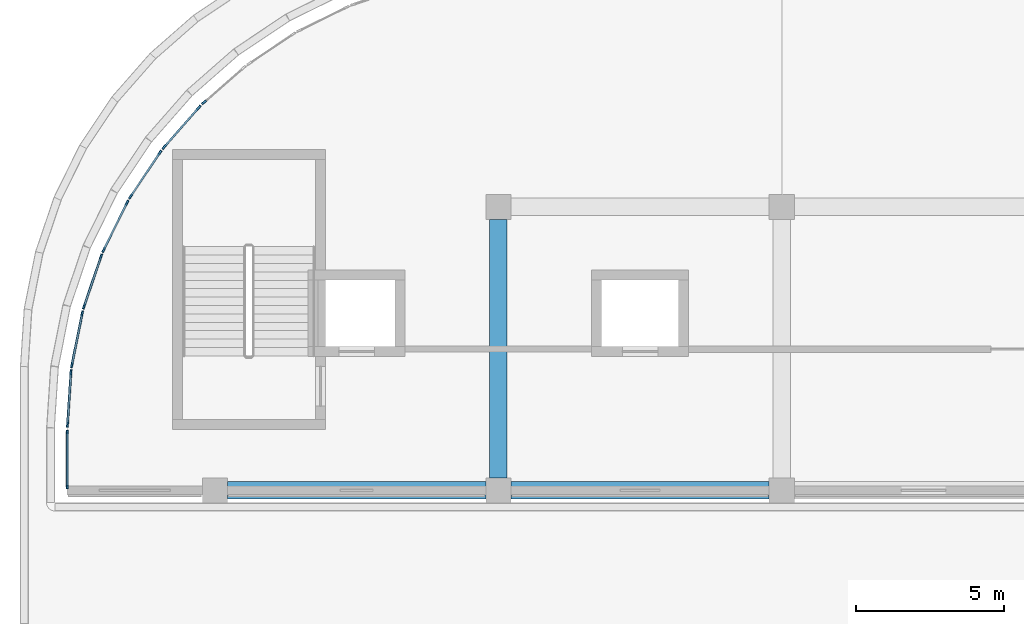
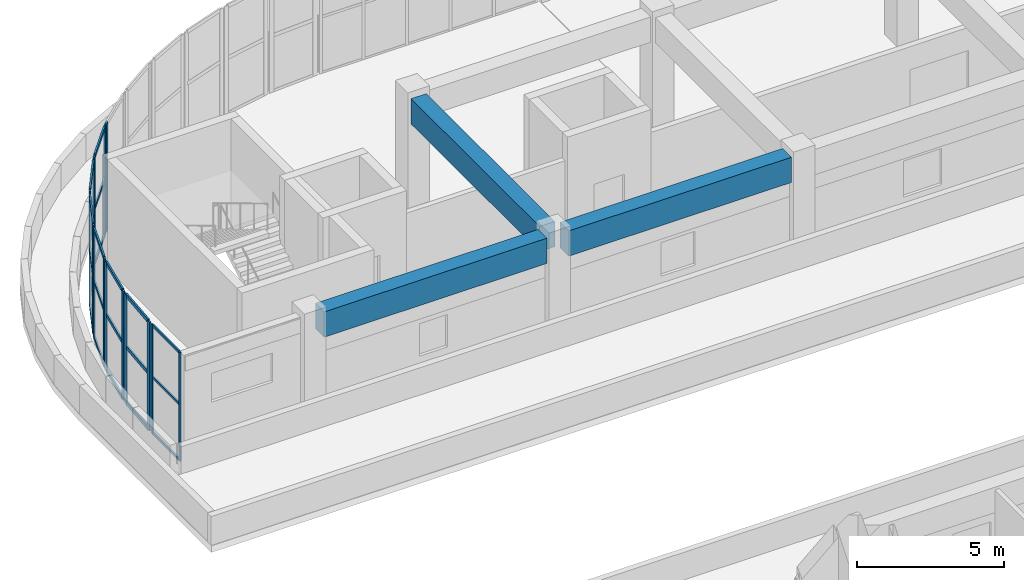
# One storey, part 13 of 67: 36 members, 3 beams, 8 elements without a shape of their own.
"""IFC4 building model written with IfcOpenShell, lengths in metres."""

from ifc_helpers import new_model, si_unit, direction, frame, origin, origin_2d, place, context, subcontext, project, spatial, rectangle, extrude, material, layer, layer_set, material_profile, profile_set, type_object, element, aggregate, save


model = new_model("IFC4")

# Units and contexts
model_context = context("Model", 3, precision=1e-05, world=origin(), true_north=direction((0.0, 1.0)))
body_context = subcontext(model_context, "Body", "Model", "MODEL_VIEW")
ifc_project = project(units=[si_unit("LENGTHUNIT", "METRE"), si_unit("AREAUNIT", "SQUARE_METRE"), si_unit("VOLUMEUNIT", "CUBIC_METRE"), si_unit("PLANEANGLEUNIT", "RADIAN"), si_unit("MASSUNIT", "GRAM", prefix="KILO")], contexts=[model_context])

# Site, building, storey
site_placement = place(None, origin())
site = spatial("IfcSite", under=ifc_project, at=site_placement, CompositionType="ELEMENT")
building_placement = place(site_placement, origin())
building = spatial("IfcBuilding", under=site, at=building_placement, Name="Cendralis Terraced Arcade", CompositionType="ELEMENT")
storey_placement = place(building_placement, frame((0.0, 0.0, 15.0)))
storey = spatial("IfcBuildingStorey", under=building, at=storey_placement, Name="L03", CompositionType="ELEMENT", Elevation=15.0)

# Beams
ifc_material_1 = material(Name="Concrete f'c 35 MPa", Category="concrete")
ifc_material_profile_1 = material_profile(ifc_material_1, rectangle(XDim=0.60009765625, YDim=1.050048828125, at=origin_2d()), Name="RC-BM-600x1050", Category="LoadBearing")
ifc_profile_set_1 = profile_set([ifc_material_profile_1], Name="Concrete f'c 35 MPa")
beam_type = type_object("IfcBeamType", Name="BM-600x1050", PredefinedType="JOIST", material=ifc_profile_set_1)
for number, where, z_axis, x_axis, name in (
    (1, (10.02490234375, 69.60009765625, 3.9951171875), (1.0, 0.0, 0.0), (0.0, 1.0, 0.0), "Reinforced Concrete Frame Beam BM-X-L04-H-2_3"),
    (2, (19.625, 69.60009765625, 3.9951171875), (1.0, 0.0, 0.0), (0.0, 1.0, 0.0), "Reinforced Concrete Frame Beam BM-X-L04-H-3_4"),
    (3, (19.199951171875, 70.02490234375, 3.9951171875), (0.0, 1.0, 0.0), (-1.0, 0.0, 0.0), "Reinforced Concrete Frame Beam BM-Y-L04-3-H_J"),
):
    element("IfcBeam", number, at=place(storey_placement, frame(where, z_axis=z_axis, x_axis=x_axis)), inside=storey, type_object=beam_type, Name=name, PredefinedType="JOIST", context=body_context, shape_type="SweptSolid", body=[
        extrude(rectangle(XDim=0.60009765625, YDim=1.050048828125, at=origin_2d()), origin(), (0.0, 0.0, 1.0), 8.75),
    ])

# Curtain wall, members
ifc_material_2 = material(Name="Anodised aluminium EN AW-6063 T6", Category="aluminium")
ifc_layer_1 = layer(ifc_material_2, 0.1201171875, Name="CW-STORE-B")
ifc_layer_set_1 = layer_set([ifc_layer_1], Name="Anodised aluminium EN AW-6063 T6")
curtain_wall_type_1 = type_object("IfcCurtainWallType", Name="CW-STORE-B", PredefinedType="USERDEFINED", material=ifc_layer_set_1)
curtain_wall_1_placement = place(storey_placement, origin())
curtain_wall_1 = element("IfcCurtainWall", 4, at=curtain_wall_1_placement, inside=storey, type_object=curtain_wall_type_1, Name="Exterior Storefront Glazing CW-L03-0312", ObjectType="STOREFRONT GLAZING", PredefinedType="USERDEFINED")
ifc_material_profile_2 = material_profile(ifc_material_2, rectangle(XDim=0.054931640625, YDim=0.1201171875, at=origin_2d()), Name="ALU-MUL-55x120")
ifc_profile_set_2 = profile_set([ifc_material_profile_2], Name="Anodised aluminium EN AW-6063 T6")
member_type_1 = type_object("IfcMemberType", Name="CW-STORE-B-MUL", PredefinedType="MULLION", material=ifc_profile_set_2)
member_1_placement = place(storey_placement, frame((4.60009765625, 69.717529296875, 0.0), z_axis=(0.0, 0.0, 1.0), x_axis=(-1.0, 0.0, 0.0)))
member_1 = element("IfcMember", 5, at=member_1_placement, type_object=member_type_1, Name="CW-S2 mullion 1", PredefinedType="MULLION", context=body_context, shape_type="SweptSolid", body=[
    extrude(rectangle(XDim=0.054931640625, YDim=0.1201171875, at=origin_2d()), origin(), (0.0, 0.0, 1.0), 4.52001953125),
])
member_2_placement = place(storey_placement, frame((4.60009765625, 71.58251953125, 0.0), z_axis=(0.0, 0.0, 1.0), x_axis=(-1.0, 0.0, 0.0)))
member_2 = element("IfcMember", 6, at=member_2_placement, type_object=member_type_1, Name="CW-S2 mullion 2", PredefinedType="MULLION", context=body_context, shape_type="SweptSolid", body=[
    extrude(rectangle(XDim=0.054931640625, YDim=0.1201171875, at=origin_2d()), origin(), (0.0, 0.0, 1.0), 4.52001953125),
])
ifc_material_profile_3 = material_profile(ifc_material_2, rectangle(XDim=0.054931640625, YDim=0.10009765625, at=origin_2d()), Name="ALU-TRN-55x100")
ifc_profile_set_3 = profile_set([ifc_material_profile_3], Name="Anodised aluminium EN AW-6063 T6")
member_type_2 = type_object("IfcMemberType", Name="CW-STORE-B-TRN", PredefinedType="USERDEFINED", material=ifc_profile_set_3)
member_3_placement = place(storey_placement, frame((4.60009765625, 69.7451171875, 0.027587890625), z_axis=(0.0, 1.0, 0.0), x_axis=(-1.0, 0.0, 0.0)))
member_3 = element("IfcMember", 7, at=member_3_placement, type_object=member_type_2, Name="CW-S2 transom 1.1", ObjectType="TRANSOM", PredefinedType="USERDEFINED", context=body_context, shape_type="SweptSolid", body=[
    extrude(rectangle(XDim=0.054931640625, YDim=0.10009765625, at=origin_2d()), origin(), (0.0, 0.0, 1.0), 1.809814453125),
])
member_4_placement = place(storey_placement, frame((4.60009765625, 69.7451171875, 2.350341796875), z_axis=(0.0, 1.0, 0.0), x_axis=(-1.0, 0.0, 0.0)))
member_4 = element("IfcMember", 8, at=member_4_placement, type_object=member_type_2, Name="CW-S2 transom 1.2", ObjectType="TRANSOM", PredefinedType="USERDEFINED", context=body_context, shape_type="SweptSolid", body=[
    extrude(rectangle(XDim=0.054931640625, YDim=0.10009765625, at=origin_2d()), origin(), (0.0, 0.0, 1.0), 1.809814453125),
])
member_5_placement = place(storey_placement, frame((4.60009765625, 69.7451171875, 4.492431640625), z_axis=(0.0, 1.0, 0.0), x_axis=(-1.0, 0.0, 0.0)))
member_5 = element("IfcMember", 9, at=member_5_placement, type_object=member_type_2, Name="CW-S2 transom 1.3", ObjectType="TRANSOM", PredefinedType="USERDEFINED", context=body_context, shape_type="SweptSolid", body=[
    extrude(rectangle(XDim=0.054931640625, YDim=0.10009765625, at=origin_2d()), origin(), (0.0, 0.0, 1.0), 1.809814453125),
])
aggregate(curtain_wall_1, [member_1, member_2, member_3, member_4, member_5])

ifc_layer_2 = layer(ifc_material_2, 0.179931640625, Name="CW-UNIT-A")
ifc_layer_set_2 = layer_set([ifc_layer_2], Name="Anodised aluminium EN AW-6063 T6")
curtain_wall_type_2 = type_object("IfcCurtainWallType", Name="CW-UNIT-A", PredefinedType="USERDEFINED", material=ifc_layer_set_2)
curtain_wall_2_placement = place(storey_placement, origin())
curtain_wall_2 = element("IfcCurtainWall", 10, at=curtain_wall_2_placement, inside=storey, type_object=curtain_wall_type_2, Name="Exterior Unitised Facade CW-L03-0299", ObjectType="UNITISED FACADE", PredefinedType="USERDEFINED")
ifc_material_profile_4 = material_profile(ifc_material_2, rectangle(XDim=0.06494140625, YDim=0.179931640625, at=origin_2d()), Name="ALU-MUL-65x180")
ifc_profile_set_4 = profile_set([ifc_material_profile_4], Name="Anodised aluminium EN AW-6063 T6")
member_type_3 = type_object("IfcMemberType", Name="CW-UNIT-A-MUL", PredefinedType="MULLION", material=ifc_profile_set_4)
member_6_placement = place(storey_placement, frame((4.756591796875, 73.84326171875, 0.0), z_axis=(0.0, 0.0, 1.0), x_axis=(-0.980796601395, 0.195033398913, 0.0)))
member_6 = element("IfcMember", 11, at=member_6_placement, type_object=member_type_3, Name="CW-U1 mullion 1", PredefinedType="MULLION", context=body_context, shape_type="SweptSolid", body=[
    extrude(rectangle(XDim=0.06494140625, YDim=0.179931640625, at=origin_2d()), origin(), (0.0, 0.0, 1.0), 4.52001953125),
])
member_7_placement = place(storey_placement, frame((5.104248046875, 75.591552734375, 0.0), z_axis=(0.0, 0.0, 1.0), x_axis=(-0.980796601395, 0.195033398913, 0.0)))
member_7 = element("IfcMember", 12, at=member_7_placement, type_object=member_type_3, Name="CW-U1 mullion 2", PredefinedType="MULLION", context=body_context, shape_type="SweptSolid", body=[
    extrude(rectangle(XDim=0.06494140625, YDim=0.179931640625, at=origin_2d()), origin(), (0.0, 0.0, 1.0), 4.52001953125),
])

curtain_wall_3_placement = place(storey_placement, origin())
curtain_wall_3 = element("IfcCurtainWall", 13, at=curtain_wall_3_placement, inside=storey, type_object=curtain_wall_type_2, Name="Exterior Unitised Facade CW-L03-0300", ObjectType="UNITISED FACADE", PredefinedType="USERDEFINED")
member_8_placement = place(storey_placement, frame((5.16748046875, 75.82763671875, 0.0), z_axis=(0.0, 0.0, 1.0), x_axis=(-0.946909571674, 0.32150002033, 0.0)))
member_8 = element("IfcMember", 14, at=member_8_placement, type_object=member_type_3, Name="CW-U1 mullion 1", PredefinedType="MULLION", context=body_context, shape_type="SweptSolid", body=[
    extrude(rectangle(XDim=0.06494140625, YDim=0.179931640625, at=origin_2d()), origin(), (0.0, 0.0, 1.0), 4.52001953125),
])
member_9_placement = place(storey_placement, frame((5.740478515625, 77.515625, 0.0), z_axis=(0.0, 0.0, 1.0), x_axis=(-0.946909571674, 0.32150002033, 0.0)))
member_9 = element("IfcMember", 15, at=member_9_placement, type_object=member_type_3, Name="CW-U1 mullion 2", PredefinedType="MULLION", context=body_context, shape_type="SweptSolid", body=[
    extrude(rectangle(XDim=0.06494140625, YDim=0.179931640625, at=origin_2d()), origin(), (0.0, 0.0, 1.0), 4.52001953125),
])

curtain_wall_4_placement = place(storey_placement, origin())
curtain_wall_4 = element("IfcCurtainWall", 16, at=curtain_wall_4_placement, inside=storey, type_object=curtain_wall_type_2, Name="Exterior Unitised Facade CW-L03-0301", ObjectType="UNITISED FACADE", PredefinedType="USERDEFINED")
member_10_placement = place(storey_placement, frame((5.833984375, 77.741455078125, 0.0), z_axis=(0.0, 0.0, 1.0), x_axis=(-0.896881752867, 0.442270416572, 0.0)))
member_10 = element("IfcMember", 17, at=member_10_placement, type_object=member_type_3, Name="CW-U1 mullion 1", PredefinedType="MULLION", context=body_context, shape_type="SweptSolid", body=[
    extrude(rectangle(XDim=0.06494140625, YDim=0.179931640625, at=origin_2d()), origin(), (0.0, 0.0, 1.0), 4.52001953125),
])
member_11_placement = place(storey_placement, frame((6.622314453125, 79.340087890625, 0.0), z_axis=(0.0, 0.0, 1.0), x_axis=(-0.896881752867, 0.442270416572, 0.0)))
member_11 = element("IfcMember", 18, at=member_11_placement, type_object=member_type_3, Name="CW-U1 mullion 2", PredefinedType="MULLION", context=body_context, shape_type="SweptSolid", body=[
    extrude(rectangle(XDim=0.06494140625, YDim=0.179931640625, at=origin_2d()), origin(), (0.0, 0.0, 1.0), 4.52001953125),
])

curtain_wall_5_placement = place(storey_placement, origin())
curtain_wall_5 = element("IfcCurtainWall", 19, at=curtain_wall_5_placement, inside=storey, type_object=curtain_wall_type_2, Name="Exterior Unitised Facade CW-L03-0302", ObjectType="UNITISED FACADE", PredefinedType="USERDEFINED")
member_12_placement = place(storey_placement, frame((6.74462890625, 79.5517578125, 0.0), z_axis=(0.0, 0.0, 1.0), x_axis=(-0.831483619587, 0.555549269065, 0.0)))
member_12 = element("IfcMember", 20, at=member_12_placement, type_object=member_type_3, Name="CW-U1 mullion 1", PredefinedType="MULLION", context=body_context, shape_type="SweptSolid", body=[
    extrude(rectangle(XDim=0.06494140625, YDim=0.179931640625, at=origin_2d()), origin(), (0.0, 0.0, 1.0), 4.52001953125),
])
member_13_placement = place(storey_placement, frame((7.73486328125, 81.033935546875, 0.0), z_axis=(0.0, 0.0, 1.0), x_axis=(-0.831483619587, 0.555549269065, 0.0)))
member_13 = element("IfcMember", 21, at=member_13_placement, type_object=member_type_3, Name="CW-U1 mullion 2", PredefinedType="MULLION", context=body_context, shape_type="SweptSolid", body=[
    extrude(rectangle(XDim=0.06494140625, YDim=0.179931640625, at=origin_2d()), origin(), (0.0, 0.0, 1.0), 4.52001953125),
])

curtain_wall_6_placement = place(storey_placement, origin())
curtain_wall_6 = element("IfcCurtainWall", 22, at=curtain_wall_6_placement, inside=storey, type_object=curtain_wall_type_2, Name="Exterior Unitised Facade CW-L03-0303", ObjectType="UNITISED FACADE", PredefinedType="USERDEFINED")
member_14_placement = place(storey_placement, frame((7.8837890625, 81.22802734375, 0.0), z_axis=(0.0, 0.0, 1.0), x_axis=(-0.751818424075, 0.659370197402, 0.0)))
member_14 = element("IfcMember", 23, at=member_14_placement, type_object=member_type_3, Name="CW-U1 mullion 1", PredefinedType="MULLION", context=body_context, shape_type="SweptSolid", body=[
    extrude(rectangle(XDim=0.06494140625, YDim=0.179931640625, at=origin_2d()), origin(), (0.0, 0.0, 1.0), 4.52001953125),
])
member_15_placement = place(storey_placement, frame((9.05908203125, 82.568115234375, 0.0), z_axis=(0.0, 0.0, 1.0), x_axis=(-0.751818424075, 0.659370197402, 0.0)))
member_15 = element("IfcMember", 24, at=member_15_placement, type_object=member_type_3, Name="CW-U1 mullion 2", PredefinedType="MULLION", context=body_context, shape_type="SweptSolid", body=[
    extrude(rectangle(XDim=0.06494140625, YDim=0.179931640625, at=origin_2d()), origin(), (0.0, 0.0, 1.0), 4.52001953125),
])

# Curtain wall, member
curtain_wall_7_placement = place(storey_placement, origin())
curtain_wall_7 = element("IfcCurtainWall", 25, at=curtain_wall_7_placement, inside=storey, type_object=curtain_wall_type_2, Name="Exterior Unitised Facade CW-L03-0304", ObjectType="UNITISED FACADE", PredefinedType="USERDEFINED")
member_16_placement = place(storey_placement, frame((9.23193359375, 82.740966796875, 0.0), z_axis=(0.0, 0.0, 1.0), x_axis=(-0.659370197402, 0.751818424075, 0.0)))
member_16 = element("IfcMember", 26, at=member_16_placement, type_object=member_type_3, Name="CW-U1 mullion 1", PredefinedType="MULLION", context=body_context, shape_type="SweptSolid", body=[
    extrude(rectangle(XDim=0.06494140625, YDim=0.179931640625, at=origin_2d()), origin(), (0.0, 0.0, 1.0), 4.52001953125),
])
aggregate(curtain_wall_7, [member_16])

# Curtain wall, members
curtain_wall_8_placement = place(storey_placement, origin())
curtain_wall_8 = element("IfcCurtainWall", 27, at=curtain_wall_8_placement, inside=storey, type_object=curtain_wall_type_2, Name="Exterior Unitised Facade CW-L03-0313", ObjectType="UNITISED FACADE", PredefinedType="USERDEFINED")
member_17_placement = place(storey_placement, frame((4.60791015625, 71.822265625, 0.0), z_axis=(0.0, 0.0, 1.0), x_axis=(-0.997860192175, 0.065383766124, 0.0)))
member_17 = element("IfcMember", 28, at=member_17_placement, type_object=member_type_3, Name="CW-U1 mullion 1", PredefinedType="MULLION", context=body_context, shape_type="SweptSolid", body=[
    extrude(rectangle(XDim=0.06494140625, YDim=0.179931640625, at=origin_2d()), origin(), (0.0, 0.0, 1.0), 4.52001953125),
])
member_18_placement = place(storey_placement, frame((4.724609375, 73.60107421875, 0.0), z_axis=(0.0, 0.0, 1.0), x_axis=(-0.997860192175, 0.065383766124, 0.0)))
member_18 = element("IfcMember", 29, at=member_18_placement, type_object=member_type_3, Name="CW-U1 mullion 2", PredefinedType="MULLION", context=body_context, shape_type="SweptSolid", body=[
    extrude(rectangle(XDim=0.06494140625, YDim=0.179931640625, at=origin_2d()), origin(), (0.0, 0.0, 1.0), 4.52001953125),
])

# Member
ifc_material_profile_5 = material_profile(ifc_material_2, rectangle(XDim=0.06494140625, YDim=0.14990234375, at=origin_2d()), Name="ALU-TRN-65x150")
ifc_profile_set_5 = profile_set([ifc_material_profile_5], Name="Anodised aluminium EN AW-6063 T6")
member_type_4 = type_object("IfcMemberType", Name="CW-UNIT-A-TRN", PredefinedType="USERDEFINED", material=ifc_profile_set_5)
member_19_placement = place(storey_placement, frame((4.762939453125, 73.875244140625, 0.032470703125), z_axis=(0.195049784954, 0.980793342855, 0.0), x_axis=(-0.980793342855, 0.195049784954, 0.0)))
member_19 = element("IfcMember", 30, at=member_19_placement, type_object=member_type_4, Name="CW-U1 transom 1.1", ObjectType="TRANSOM", PredefinedType="USERDEFINED", context=body_context, shape_type="SweptSolid", body=[
    extrude(rectangle(XDim=0.06494140625, YDim=0.14990234375, at=origin_2d()), origin(), (0.0, 0.0, 1.0), 1.71728515625),
])

member_20_placement = place(storey_placement, frame((4.762939453125, 73.875244140625, 2.350341796875), z_axis=(0.195049784954, 0.980793342855, 0.0), x_axis=(-0.980793342855, 0.195049784954, 0.0)))
member_20 = element("IfcMember", 31, at=member_20_placement, type_object=member_type_4, Name="CW-U1 transom 1.2", ObjectType="TRANSOM", PredefinedType="USERDEFINED", context=body_context, shape_type="SweptSolid", body=[
    extrude(rectangle(XDim=0.06494140625, YDim=0.14990234375, at=origin_2d()), origin(), (0.0, 0.0, 1.0), 1.71728515625),
])

member_21_placement = place(storey_placement, frame((4.762939453125, 73.875244140625, 4.487548828125), z_axis=(0.195049784954, 0.980793342855, 0.0), x_axis=(-0.980793342855, 0.195049784954, 0.0)))
member_21 = element("IfcMember", 32, at=member_21_placement, type_object=member_type_4, Name="CW-U1 transom 1.3", ObjectType="TRANSOM", PredefinedType="USERDEFINED", context=body_context, shape_type="SweptSolid", body=[
    extrude(rectangle(XDim=0.06494140625, YDim=0.14990234375, at=origin_2d()), origin(), (0.0, 0.0, 1.0), 1.71728515625),
])

aggregate(curtain_wall_2, [member_6, member_7, member_19, member_20, member_21])

member_22_placement = place(storey_placement, frame((5.177978515625, 75.8583984375, 0.032470703125), z_axis=(0.321382839826, 0.946949349367, 0.0), x_axis=(-0.946949349367, 0.321382839826, 0.0)))
member_22 = element("IfcMember", 33, at=member_22_placement, type_object=member_type_4, Name="CW-U1 transom 1.1", ObjectType="TRANSOM", PredefinedType="USERDEFINED", context=body_context, shape_type="SweptSolid", body=[
    extrude(rectangle(XDim=0.06494140625, YDim=0.14990234375, at=origin_2d()), origin(), (0.0, 0.0, 1.0), 1.717529296875),
])

member_23_placement = place(storey_placement, frame((5.177978515625, 75.8583984375, 2.350341796875), z_axis=(0.321382839826, 0.946949349367, 0.0), x_axis=(-0.946949349367, 0.321382839826, 0.0)))
member_23 = element("IfcMember", 34, at=member_23_placement, type_object=member_type_4, Name="CW-U1 transom 1.2", ObjectType="TRANSOM", PredefinedType="USERDEFINED", context=body_context, shape_type="SweptSolid", body=[
    extrude(rectangle(XDim=0.06494140625, YDim=0.14990234375, at=origin_2d()), origin(), (0.0, 0.0, 1.0), 1.717529296875),
])

member_24_placement = place(storey_placement, frame((5.177978515625, 75.8583984375, 4.487548828125), z_axis=(0.321382839826, 0.946949349367, 0.0), x_axis=(-0.946949349367, 0.321382839826, 0.0)))
member_24 = element("IfcMember", 35, at=member_24_placement, type_object=member_type_4, Name="CW-U1 transom 1.3", ObjectType="TRANSOM", PredefinedType="USERDEFINED", context=body_context, shape_type="SweptSolid", body=[
    extrude(rectangle(XDim=0.06494140625, YDim=0.14990234375, at=origin_2d()), origin(), (0.0, 0.0, 1.0), 1.717529296875),
])

aggregate(curtain_wall_3, [member_8, member_9, member_22, member_23, member_24])

member_25_placement = place(storey_placement, frame((5.848388671875, 77.7705078125, 0.032470703125), z_axis=(0.442317542244, 0.896858512712, 0.0), x_axis=(-0.896858512712, 0.442317542244, 0.0)))
member_25 = element("IfcMember", 36, at=member_25_placement, type_object=member_type_4, Name="CW-U1 transom 1.1", ObjectType="TRANSOM", PredefinedType="USERDEFINED", context=body_context, shape_type="SweptSolid", body=[
    extrude(rectangle(XDim=0.06494140625, YDim=0.14990234375, at=origin_2d()), origin(), (0.0, 0.0, 1.0), 1.7177734375),
])

member_26_placement = place(storey_placement, frame((5.848388671875, 77.7705078125, 2.350341796875), z_axis=(0.442317542244, 0.896858512712, 0.0), x_axis=(-0.896858512712, 0.442317542244, 0.0)))
member_26 = element("IfcMember", 37, at=member_26_placement, type_object=member_type_4, Name="CW-U1 transom 1.2", ObjectType="TRANSOM", PredefinedType="USERDEFINED", context=body_context, shape_type="SweptSolid", body=[
    extrude(rectangle(XDim=0.06494140625, YDim=0.14990234375, at=origin_2d()), origin(), (0.0, 0.0, 1.0), 1.7177734375),
])

member_27_placement = place(storey_placement, frame((5.848388671875, 77.7705078125, 4.487548828125), z_axis=(0.442317542244, 0.896858512712, 0.0), x_axis=(-0.896858512712, 0.442317542244, 0.0)))
member_27 = element("IfcMember", 38, at=member_27_placement, type_object=member_type_4, Name="CW-U1 transom 1.3", ObjectType="TRANSOM", PredefinedType="USERDEFINED", context=body_context, shape_type="SweptSolid", body=[
    extrude(rectangle(XDim=0.06494140625, YDim=0.14990234375, at=origin_2d()), origin(), (0.0, 0.0, 1.0), 1.7177734375),
])

aggregate(curtain_wall_4, [member_10, member_11, member_25, member_26, member_27])

member_28_placement = place(storey_placement, frame((6.7626953125, 79.578857421875, 0.032470703125), z_axis=(0.555552851829, 0.83148122578, 0.0), x_axis=(-0.83148122578, 0.555552851829, 0.0)))
member_28 = element("IfcMember", 39, at=member_28_placement, type_object=member_type_4, Name="CW-U1 transom 1.1", ObjectType="TRANSOM", PredefinedType="USERDEFINED", context=body_context, shape_type="SweptSolid", body=[
    extrude(rectangle(XDim=0.06494140625, YDim=0.14990234375, at=origin_2d()), origin(), (0.0, 0.0, 1.0), 1.71728515625),
])

member_29_placement = place(storey_placement, frame((6.7626953125, 79.578857421875, 2.350341796875), z_axis=(0.555552851829, 0.83148122578, 0.0), x_axis=(-0.83148122578, 0.555552851829, 0.0)))
member_29 = element("IfcMember", 40, at=member_29_placement, type_object=member_type_4, Name="CW-U1 transom 1.2", ObjectType="TRANSOM", PredefinedType="USERDEFINED", context=body_context, shape_type="SweptSolid", body=[
    extrude(rectangle(XDim=0.06494140625, YDim=0.14990234375, at=origin_2d()), origin(), (0.0, 0.0, 1.0), 1.71728515625),
])

member_30_placement = place(storey_placement, frame((6.7626953125, 79.578857421875, 4.487548828125), z_axis=(0.555552851829, 0.83148122578, 0.0), x_axis=(-0.83148122578, 0.555552851829, 0.0)))
member_30 = element("IfcMember", 41, at=member_30_placement, type_object=member_type_4, Name="CW-U1 transom 1.3", ObjectType="TRANSOM", PredefinedType="USERDEFINED", context=body_context, shape_type="SweptSolid", body=[
    extrude(rectangle(XDim=0.06494140625, YDim=0.14990234375, at=origin_2d()), origin(), (0.0, 0.0, 1.0), 1.71728515625),
])

aggregate(curtain_wall_5, [member_12, member_13, member_28, member_29, member_30])

member_31_placement = place(storey_placement, frame((7.9052734375, 81.25244140625, 0.032470703125), z_axis=(0.659319416877, 0.751862957279, 0.0), x_axis=(-0.751862957279, 0.659319416877, 0.0)))
member_31 = element("IfcMember", 42, at=member_31_placement, type_object=member_type_4, Name="CW-U1 transom 1.1", ObjectType="TRANSOM", PredefinedType="USERDEFINED", context=body_context, shape_type="SweptSolid", body=[
    extrude(rectangle(XDim=0.06494140625, YDim=0.14990234375, at=origin_2d()), origin(), (0.0, 0.0, 1.0), 1.717529296875),
])

member_32_placement = place(storey_placement, frame((7.9052734375, 81.25244140625, 2.350341796875), z_axis=(0.659319416877, 0.751862957279, 0.0), x_axis=(-0.751862957279, 0.659319416877, 0.0)))
member_32 = element("IfcMember", 43, at=member_32_placement, type_object=member_type_4, Name="CW-U1 transom 1.2", ObjectType="TRANSOM", PredefinedType="USERDEFINED", context=body_context, shape_type="SweptSolid", body=[
    extrude(rectangle(XDim=0.06494140625, YDim=0.14990234375, at=origin_2d()), origin(), (0.0, 0.0, 1.0), 1.717529296875),
])

member_33_placement = place(storey_placement, frame((7.9052734375, 81.25244140625, 4.487548828125), z_axis=(0.659319416877, 0.751862957279, 0.0), x_axis=(-0.751862957279, 0.659319416877, 0.0)))
member_33 = element("IfcMember", 44, at=member_33_placement, type_object=member_type_4, Name="CW-U1 transom 1.3", ObjectType="TRANSOM", PredefinedType="USERDEFINED", context=body_context, shape_type="SweptSolid", body=[
    extrude(rectangle(XDim=0.06494140625, YDim=0.14990234375, at=origin_2d()), origin(), (0.0, 0.0, 1.0), 1.717529296875),
])

aggregate(curtain_wall_6, [member_14, member_15, member_31, member_32, member_33])

member_34_placement = place(storey_placement, frame((4.610107421875, 71.854736328125, 0.032470703125), z_axis=(0.065386837014, 0.997859990953, 0.0), x_axis=(-0.997859990953, 0.065386837014, 0.0)))
member_34 = element("IfcMember", 45, at=member_34_placement, type_object=member_type_4, Name="CW-U1 transom 1.1", ObjectType="TRANSOM", PredefinedType="USERDEFINED", context=body_context, shape_type="SweptSolid", body=[
    extrude(rectangle(XDim=0.06494140625, YDim=0.14990234375, at=origin_2d()), origin(), (0.0, 0.0, 1.0), 1.717529296875),
])

member_35_placement = place(storey_placement, frame((4.610107421875, 71.854736328125, 2.350341796875), z_axis=(0.065386837014, 0.997859990953, 0.0), x_axis=(-0.997859990953, 0.065386837014, 0.0)))
member_35 = element("IfcMember", 46, at=member_35_placement, type_object=member_type_4, Name="CW-U1 transom 1.2", ObjectType="TRANSOM", PredefinedType="USERDEFINED", context=body_context, shape_type="SweptSolid", body=[
    extrude(rectangle(XDim=0.06494140625, YDim=0.14990234375, at=origin_2d()), origin(), (0.0, 0.0, 1.0), 1.717529296875),
])

member_36_placement = place(storey_placement, frame((4.610107421875, 71.854736328125, 4.487548828125), z_axis=(0.065386837014, 0.997859990953, 0.0), x_axis=(-0.997859990953, 0.065386837014, 0.0)))
member_36 = element("IfcMember", 47, at=member_36_placement, type_object=member_type_4, Name="CW-U1 transom 1.3", ObjectType="TRANSOM", PredefinedType="USERDEFINED", context=body_context, shape_type="SweptSolid", body=[
    extrude(rectangle(XDim=0.06494140625, YDim=0.14990234375, at=origin_2d()), origin(), (0.0, 0.0, 1.0), 1.717529296875),
])

aggregate(curtain_wall_8, [member_17, member_18, member_34, member_35, member_36])

save(model, "model.ifc")
